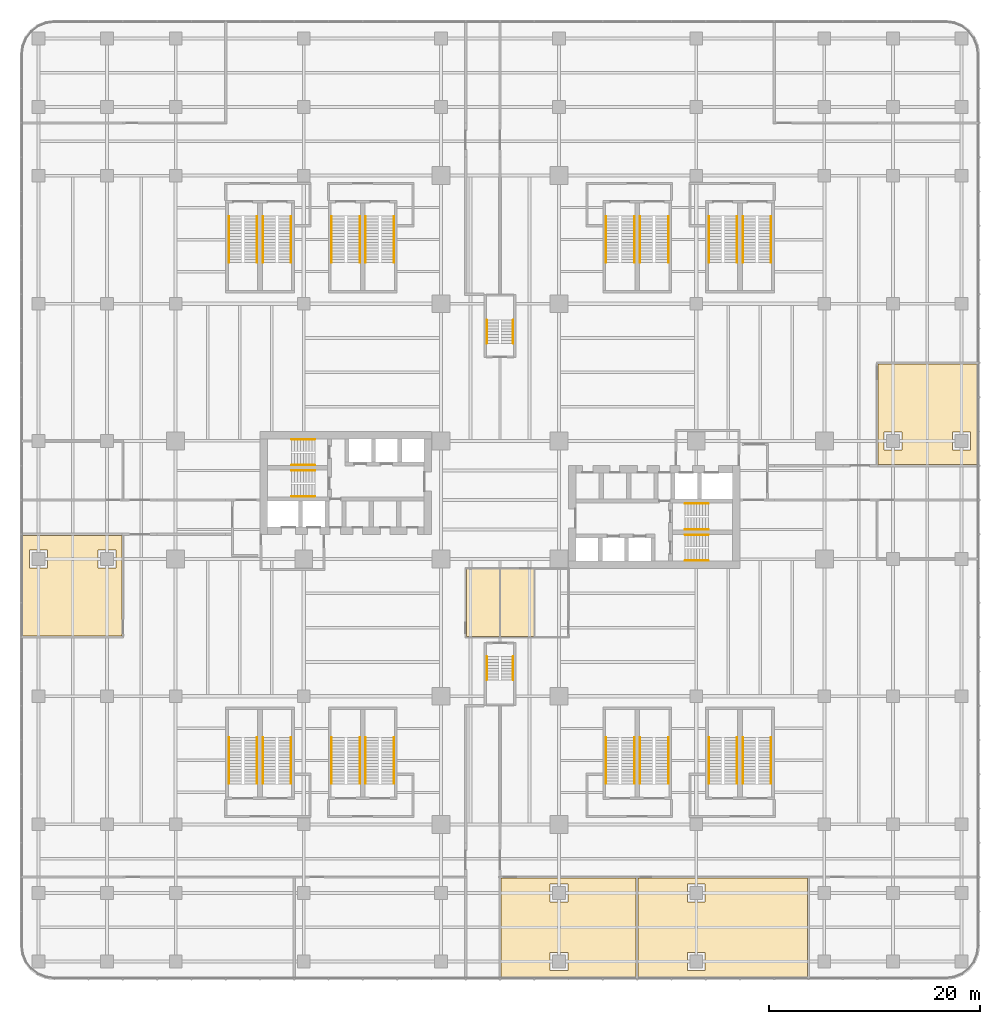
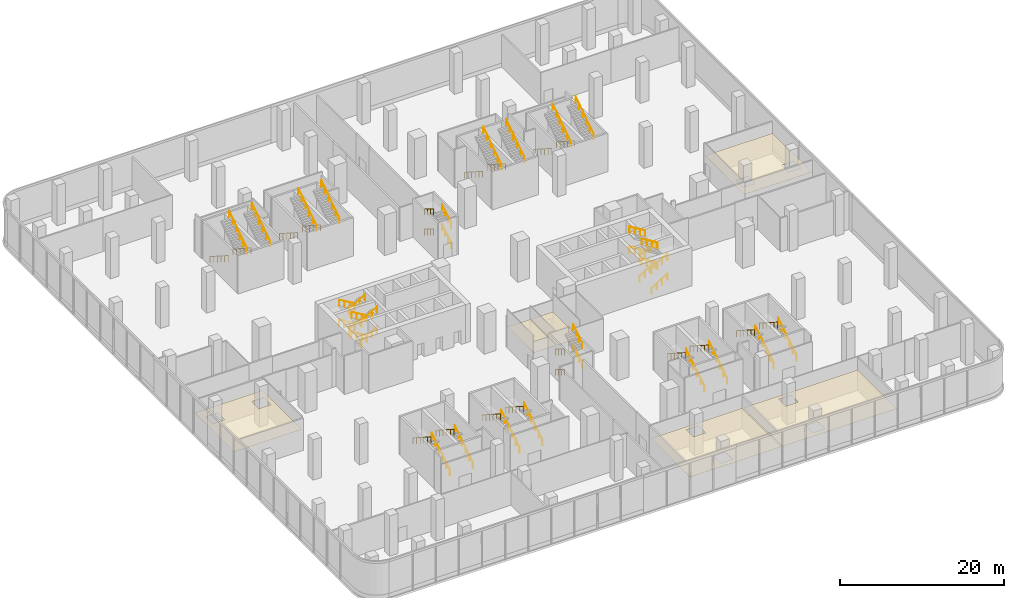
# One storey, part 41 of 41: 56 railings, 6 coverings.
"""IFC4 building model written with IfcOpenShell, lengths in metres."""

from ifc_helpers import new_model, si_unit, direction, frame, origin, origin_2d, place, context, subcontext, project, spatial, polyline, circle, outline, extrude, source, transform, mapped, material, layer, layer_set, type_object, element, save


model = new_model("IFC4")

# Units and contexts
model_context = context("Model", 3, precision=1e-05, world=origin(), true_north=direction((0.0, 1.0)))
body_context = subcontext(model_context, "Body", "Model", "MODEL_VIEW")
ifc_project = project(units=[si_unit("LENGTHUNIT", "METRE"), si_unit("AREAUNIT", "SQUARE_METRE"), si_unit("VOLUMEUNIT", "CUBIC_METRE"), si_unit("PLANEANGLEUNIT", "RADIAN"), si_unit("MASSUNIT", "GRAM", prefix="KILO")], contexts=[model_context])

# Site, building, storey
site_placement = place(None, origin())
site = spatial("IfcSite", under=ifc_project, at=site_placement, CompositionType="ELEMENT")
building_placement = place(site_placement, origin())
building = spatial("IfcBuilding", under=site, at=building_placement, Name="Trellis Farm Tower", CompositionType="ELEMENT")
storey_placement = place(building_placement, frame((0.0, 0.0, 8.0)))
storey = spatial("IfcBuildingStorey", under=building, at=storey_placement, Name="L01", CompositionType="ELEMENT", Elevation=8.0)

# Coverings
ifc_material_1 = material(Name="Moisture resistant plasterboard on metal framing")
ifc_layer = layer(ifc_material_1, 0.02490234375)
ifc_layer_set = layer_set([ifc_layer], Name="PLASTERBOARD CEILING 25")
covering_type = type_object("IfcCoveringType", Name="PLASTERBOARD CEILING 25", PredefinedType="CEILING", material=ifc_layer_set)
placement = place(storey_placement, frame((0.0, 0.0, 3.0)))
element("IfcCovering", 1, at=placement, inside=storey, type_object=covering_type, Name="CL2 suspended ceiling", PredefinedType="CEILING", context=body_context, shape_type="SweptSolid", body=[
    extrude(outline(polyline([(-3.1875, -6.5625), (-0.050048828125, -6.5625), (-0.050048828125, -12.949951171875), (-3.1875, -12.949951171875), (-3.1875, -6.5625)])), origin(), (0.0, 0.0, 1.0), 0.02490234375),
])
element("IfcCovering", 2, at=placement, inside=storey, type_object=covering_type, Name="CL2 suspended ceiling", PredefinedType="CEILING", context=body_context, shape_type="SweptSolid", body=[
    extrude(outline(polyline([(0.0, -45.300048828125), (0.10009765625, -45.300048828125), (0.10009765625, -35.8125), (12.89990234375, -35.8125), (12.89990234375, -45.300048828125), (13.0, -45.300048828125), (13.0, -45.302978515625), (0.0, -45.302978515625), (0.0, -45.300048828125)]), holes=[polyline([(4.75, -42.89990234375), (4.75, -44.60009765625), (6.449951171875, -44.60009765625), (6.449951171875, -42.89990234375), (4.75, -42.89990234375)]), polyline([(4.75, -38.10009765625), (6.449951171875, -38.10009765625), (6.449951171875, -36.39990234375), (4.75, -36.39990234375), (4.75, -38.10009765625)])]), origin(), (0.0, 0.0, 1.0), 0.02490234375),
])
element("IfcCovering", 3, at=placement, inside=storey, type_object=covering_type, Name="CL2 suspended ceiling", PredefinedType="CEILING", context=body_context, shape_type="SweptSolid", body=[
    extrude(outline(polyline([(13.10009765625, -45.300048828125), (13.10009765625, -35.8125), (29.14990234375, -35.8125), (29.14990234375, -45.300048828125), (29.25, -45.300048828125), (29.25, -45.302978515625), (13.0, -45.302978515625), (13.0, -45.300048828125), (13.10009765625, -45.300048828125)]), holes=[polyline([(17.75, -42.89990234375), (17.75, -44.60009765625), (19.449951171875, -44.60009765625), (19.449951171875, -42.89990234375), (17.75, -42.89990234375)]), polyline([(17.75, -36.39990234375), (17.75, -38.10009765625), (19.449951171875, -38.10009765625), (19.449951171875, -36.39990234375), (17.75, -36.39990234375)])]), origin(), (0.0, 0.0, 1.0), 0.02490234375),
])
element("IfcCovering", 4, at=placement, inside=storey, type_object=covering_type, Name="CL2 suspended ceiling", PredefinedType="CEILING", context=body_context, shape_type="SweptSolid", body=[
    extrude(outline(polyline([(45.300048828125, 3.25), (45.300048828125, 3.35009765625), (35.8125, 3.35009765625), (35.8125, 12.89990234375), (45.300048828125, 12.89990234375), (45.300048828125, 13.0), (45.302978515625, 13.0), (45.302978515625, 3.25), (45.300048828125, 3.25)]), holes=[polyline([(36.39990234375, 4.75), (38.10009765625, 4.75), (38.10009765625, 6.449951171875), (36.39990234375, 6.449951171875), (36.39990234375, 4.75)]), polyline([(42.89990234375, 6.449951171875), (42.89990234375, 4.75), (44.60009765625, 4.75), (44.60009765625, 6.449951171875), (42.89990234375, 6.449951171875)])]), origin(), (0.0, 0.0, 1.0), 0.02490234375),
])
element("IfcCovering", 5, at=placement, inside=storey, type_object=covering_type, Name="CL2 suspended ceiling", PredefinedType="CEILING", context=body_context, shape_type="SweptSolid", body=[
    extrude(outline(polyline([(-45.300048828125, -3.25), (-45.300048828125, -3.35009765625), (-35.8125, -3.35009765625), (-35.8125, -12.89990234375), (-45.300048828125, -12.89990234375), (-45.300048828125, -13.0), (-45.302978515625, -13.0), (-45.302978515625, -3.25), (-45.300048828125, -3.25)]), holes=[polyline([(-44.60009765625, -6.449951171875), (-42.89990234375, -6.449951171875), (-42.89990234375, -4.75), (-44.60009765625, -4.75), (-44.60009765625, -6.449951171875)]), polyline([(-38.10009765625, -4.75), (-38.10009765625, -6.449951171875), (-36.39990234375, -6.449951171875), (-36.39990234375, -4.75), (-38.10009765625, -4.75)])]), origin(), (0.0, 0.0, 1.0), 0.02490234375),
])

# Railings
ifc_material_2 = material(Name="Stainless steel", Category="steel")
railing_type = type_object("IfcRailingType", Name="STAIR HANDRAIL 900", PredefinedType="HANDRAIL", material=ifc_material_2)
shared_shape_1 = source(origin(), body_context, "Body", "SweptSolid", [
    extrude(circle(Radius=0.02392578125, at=origin_2d()), frame((0.0, 0.0, 0.8759765625), z_axis=(0.0, 0.85520675485, 0.518286992369), x_axis=(-1.0, 0.0, 0.0)), (0.0, 0.0, 1.0), 2.572509765625),
    extrude(circle(Radius=0.02099609375, at=origin_2d()), origin(), (0.0, 0.0, 1.0), 0.851806640625),
    extrude(circle(Radius=0.02099609375, at=origin_2d()), frame((0.0, 0.7333984375, 0.4443359375)), (0.0, 0.0, 1.0), 0.851806640625),
    extrude(circle(Radius=0.02099609375, at=origin_2d()), frame((0.0, 1.466552734375, 0.888916015625)), (0.0, 0.0, 1.0), 0.851806640625),
    extrude(circle(Radius=0.02099609375, at=origin_2d()), frame((0.0, 2.199951171875, 1.333251953125)), (0.0, 0.0, 1.0), 0.851806640625),
])
for number, where, name in (
    (6, (1.25, 14.85009765625, 0.166748046875), "Stair handrail"),
    (7, (1.25, 14.85009765625, 3.166748046875), "Stair handrail"),
    (8, (1.25, -17.050048828125, 1.666748046875), "Stair handrail"),
    (9, (1.25, -17.050048828125, 4.666748046875), "Stair handrail"),
):
    element("IfcRailing", number, at=place(storey_placement, frame(where)), inside=storey, type_object=railing_type, Name=name, PredefinedType="HANDRAIL", context=body_context, shape_type="MappedRepresentation", body=[
        mapped(shared_shape_1, transform((0.0, 0.0, 0.0))),
    ])
shared_shape_2 = source(origin(), body_context, "Body", "SweptSolid", [
    extrude(circle(Radius=0.02392578125, at=origin_2d()), frame((0.0, 0.0, 0.8759765625), z_axis=(0.0, -0.85520675485, 0.518286992369), x_axis=(1.0, 0.0, 0.0)), (0.0, 0.0, 1.0), 2.572509765625),
    extrude(circle(Radius=0.02099609375, at=origin_2d()), origin(), (0.0, 0.0, 1.0), 0.851806640625),
    extrude(circle(Radius=0.02099609375, at=origin_2d()), frame((0.0, -0.7333984375, 0.4443359375)), (0.0, 0.0, 1.0), 0.851806640625),
    extrude(circle(Radius=0.02099609375, at=origin_2d()), frame((0.0, -1.466552734375, 0.888916015625)), (0.0, 0.0, 1.0), 0.851806640625),
    extrude(circle(Radius=0.02099609375, at=origin_2d()), frame((0.0, -2.199951171875, 1.333251953125)), (0.0, 0.0, 1.0), 0.851806640625),
])
for number, where, name in (
    (10, (-1.25, 17.050048828125, 1.666748046875), "Stair handrail"),
    (11, (-1.25, 17.050048828125, 4.666748046875), "Stair handrail"),
    (12, (-1.25, -14.85009765625, 0.166748046875), "Stair handrail"),
    (13, (-1.25, -14.85009765625, 3.166748046875), "Stair handrail"),
):
    element("IfcRailing", number, at=place(storey_placement, frame(where)), inside=storey, type_object=railing_type, Name=name, PredefinedType="HANDRAIL", context=body_context, shape_type="MappedRepresentation", body=[
        mapped(shared_shape_2, transform((0.0, 0.0, 0.0))),
    ])
shared_shape_3 = source(origin(), body_context, "Body", "SweptSolid", [
    extrude(circle(Radius=0.02392578125, at=origin_2d()), frame((0.0, 0.0, 0.8759765625), z_axis=(0.85520675485, 0.0, 0.518286992369), x_axis=(0.0, 1.0, 0.0)), (0.0, 0.0, 1.0), 2.572509765625),
    extrude(circle(Radius=0.02099609375, at=origin_2d()), origin(), (0.0, 0.0, 1.0), 0.851806640625),
    extrude(circle(Radius=0.02099609375, at=origin_2d()), frame((0.7333984375, 0.0, 0.4443359375)), (0.0, 0.0, 1.0), 0.851806640625),
    extrude(circle(Radius=0.02099609375, at=origin_2d()), frame((1.466552734375, 0.0, 0.888916015625)), (0.0, 0.0, 1.0), 0.851806640625),
    extrude(circle(Radius=0.02099609375, at=origin_2d()), frame((2.199951171875, 0.0, 1.333251953125)), (0.0, 0.0, 1.0), 0.851806640625),
])
for number, where, name in (
    (14, (17.550048828125, -5.75, 0.166748046875), "Stair handrail"),
    (15, (17.550048828125, -5.75, 3.166748046875), "Stair handrail"),
    (16, (17.550048828125, -2.800048828125, 0.166748046875), "Stair handrail"),
    (17, (17.550048828125, -2.800048828125, 3.166748046875), "Stair handrail"),
    (18, (-19.75, 3.300048828125, 1.666748046875), "Stair handrail"),
    (19, (-19.75, 3.300048828125, 4.666748046875), "Stair handrail"),
    (20, (-19.75, 0.35009765625, 1.666748046875), "Stair handrail"),
    (21, (-19.75, 0.35009765625, 4.666748046875), "Stair handrail"),
):
    element("IfcRailing", number, at=place(storey_placement, frame(where)), inside=storey, type_object=railing_type, Name=name, PredefinedType="HANDRAIL", context=body_context, shape_type="MappedRepresentation", body=[
        mapped(shared_shape_3, transform((0.0, 0.0, 0.0))),
    ])
shared_shape_4 = source(origin(), body_context, "Body", "SweptSolid", [
    extrude(circle(Radius=0.02392578125, at=origin_2d()), frame((0.0, 0.0, 0.8759765625), z_axis=(-0.85520675485, 0.0, 0.518286992369), x_axis=(0.0, -1.0, 0.0)), (0.0, 0.0, 1.0), 2.572509765625),
    extrude(circle(Radius=0.02099609375, at=origin_2d()), origin(), (0.0, 0.0, 1.0), 0.851806640625),
    extrude(circle(Radius=0.02099609375, at=origin_2d()), frame((-0.7333984375, 0.0, 0.4443359375)), (0.0, 0.0, 1.0), 0.851806640625),
    extrude(circle(Radius=0.02099609375, at=origin_2d()), frame((-1.466552734375, 0.0, 0.888916015625)), (0.0, 0.0, 1.0), 0.851806640625),
    extrude(circle(Radius=0.02099609375, at=origin_2d()), frame((-2.199951171875, 0.0, 1.333251953125)), (0.0, 0.0, 1.0), 0.851806640625),
])
for number, where, name in (
    (22, (19.75, -3.300048828125, 1.666748046875), "Stair handrail"),
    (23, (19.75, -3.300048828125, 4.666748046875), "Stair handrail"),
    (24, (19.75, -0.35009765625, 1.666748046875), "Stair handrail"),
    (25, (19.75, -0.35009765625, 4.666748046875), "Stair handrail"),
    (26, (-17.550048828125, 5.75, 0.166748046875), "Stair handrail"),
    (27, (-17.550048828125, 5.75, 3.166748046875), "Stair handrail"),
    (28, (-17.550048828125, 2.800048828125, 0.166748046875), "Stair handrail"),
    (29, (-17.550048828125, 2.800048828125, 3.166748046875), "Stair handrail"),
):
    element("IfcRailing", number, at=place(storey_placement, frame(where)), inside=storey, type_object=railing_type, Name=name, PredefinedType="HANDRAIL", context=body_context, shape_type="MappedRepresentation", body=[
        mapped(shared_shape_4, transform((0.0, 0.0, 0.0))),
    ])
shared_shape_5 = source(origin(), body_context, "Body", "SweptSolid", [
    extrude(circle(Radius=0.02392578125, at=origin_2d()), frame((0.0, 0.0, 0.8759765625), z_axis=(0.0, -0.841615184995, 0.54007766144), x_axis=(1.0, 0.0, 0.0)), (0.0, 0.0, 1.0), 5.22802734375),
    extrude(circle(Radius=0.02099609375, at=origin_2d()), origin(), (0.0, 0.0, 1.0), 0.851806640625),
    extrude(circle(Radius=0.02099609375, at=origin_2d()), frame((0.0, -0.8798828125, 0.564697265625)), (0.0, 0.0, 1.0), 0.851806640625),
    extrude(circle(Radius=0.02099609375, at=origin_2d()), frame((0.0, -1.760009765625, 1.12939453125)), (0.0, 0.0, 1.0), 0.851806640625),
    extrude(circle(Radius=0.02099609375, at=origin_2d()), frame((0.0, -2.639892578125, 1.694091796875)), (0.0, 0.0, 1.0), 0.851806640625),
    extrude(circle(Radius=0.02099609375, at=origin_2d()), frame((0.0, -3.52001953125, 2.2587890625)), (0.0, 0.0, 1.0), 0.851806640625),
    extrude(circle(Radius=0.02099609375, at=origin_2d()), frame((0.0, -4.39990234375, 2.823486328125)), (0.0, 0.0, 1.0), 0.851806640625),
])
for number, where, name in (
    (30, (-25.699951171875, 26.89990234375, 0.176513671875), "Stair handrail"),
    (31, (-22.47998046875, 26.89990234375, 0.176513671875), "Stair handrail"),
    (32, (-15.949951171875, 26.89990234375, 0.176513671875), "Stair handrail"),
    (33, (-12.72998046875, 26.89990234375, 0.176513671875), "Stair handrail"),
    (34, (10.050048828125, 26.89990234375, 0.176513671875), "Stair handrail"),
    (35, (13.27001953125, 26.89990234375, 0.176513671875), "Stair handrail"),
    (36, (19.800048828125, 26.89990234375, 0.176513671875), "Stair handrail"),
    (37, (23.02001953125, 26.89990234375, 0.176513671875), "Stair handrail"),
    (38, (-25.699951171875, -22.5, 3.176513671875), "Stair handrail"),
    (39, (-22.47998046875, -22.5, 3.176513671875), "Stair handrail"),
    (40, (-15.949951171875, -22.5, 3.176513671875), "Stair handrail"),
    (41, (-12.72998046875, -22.5, 3.176513671875), "Stair handrail"),
    (42, (10.050048828125, -22.5, 3.176513671875), "Stair handrail"),
    (43, (13.27001953125, -22.5, 3.176513671875), "Stair handrail"),
    (44, (19.800048828125, -22.5, 3.176513671875), "Stair handrail"),
    (45, (23.02001953125, -22.5, 3.176513671875), "Stair handrail"),
):
    element("IfcRailing", number, at=place(storey_placement, frame(where)), inside=storey, type_object=railing_type, Name=name, PredefinedType="HANDRAIL", context=body_context, shape_type="MappedRepresentation", body=[
        mapped(shared_shape_5, transform((0.0, 0.0, 0.0))),
    ])
shared_shape_6 = source(origin(), body_context, "Body", "SweptSolid", [
    extrude(circle(Radius=0.02392578125, at=origin_2d()), frame((0.0, 0.0, 0.8759765625), z_axis=(0.0, 0.841615184995, 0.54007766144), x_axis=(-1.0, 0.0, 0.0)), (0.0, 0.0, 1.0), 5.22802734375),
    extrude(circle(Radius=0.02099609375, at=origin_2d()), origin(), (0.0, 0.0, 1.0), 0.851806640625),
    extrude(circle(Radius=0.02099609375, at=origin_2d()), frame((0.0, 0.8798828125, 0.564697265625)), (0.0, 0.0, 1.0), 0.851806640625),
    extrude(circle(Radius=0.02099609375, at=origin_2d()), frame((0.0, 1.760009765625, 1.12939453125)), (0.0, 0.0, 1.0), 0.851806640625),
    extrude(circle(Radius=0.02099609375, at=origin_2d()), frame((0.0, 2.639892578125, 1.694091796875)), (0.0, 0.0, 1.0), 0.851806640625),
    extrude(circle(Radius=0.02099609375, at=origin_2d()), frame((0.0, 3.52001953125, 2.2587890625)), (0.0, 0.0, 1.0), 0.851806640625),
    extrude(circle(Radius=0.02099609375, at=origin_2d()), frame((0.0, 4.39990234375, 2.823486328125)), (0.0, 0.0, 1.0), 0.851806640625),
])
for number, where, name in (
    (46, (-23.02001953125, 22.5, 3.176513671875), "Stair handrail"),
    (47, (-19.800048828125, 22.5, 3.176513671875), "Stair handrail"),
    (48, (-13.27001953125, 22.5, 3.176513671875), "Stair handrail"),
    (49, (-10.050048828125, 22.5, 3.176513671875), "Stair handrail"),
    (50, (12.72998046875, 22.5, 3.176513671875), "Stair handrail"),
    (51, (15.949951171875, 22.5, 3.176513671875), "Stair handrail"),
    (52, (22.47998046875, 22.5, 3.176513671875), "Stair handrail"),
    (53, (25.699951171875, 22.5, 3.176513671875), "Stair handrail"),
    (54, (-23.02001953125, -26.89990234375, 0.176513671875), "Stair handrail"),
    (55, (-19.800048828125, -26.89990234375, 0.176513671875), "Stair handrail"),
    (56, (-13.27001953125, -26.89990234375, 0.176513671875), "Stair handrail"),
    (57, (-10.050048828125, -26.89990234375, 0.176513671875), "Stair handrail"),
    (58, (12.72998046875, -26.89990234375, 0.176513671875), "Stair handrail"),
    (59, (15.949951171875, -26.89990234375, 0.176513671875), "Stair handrail"),
    (60, (22.47998046875, -26.89990234375, 0.176513671875), "Stair handrail"),
    (61, (25.699951171875, -26.89990234375, 0.176513671875), "Stair handrail"),
):
    element("IfcRailing", number, at=place(storey_placement, frame(where)), inside=storey, type_object=railing_type, Name=name, PredefinedType="HANDRAIL", context=body_context, shape_type="MappedRepresentation", body=[
        mapped(shared_shape_6, transform((0.0, 0.0, 0.0))),
    ])

# Covering
shared_shape_7 = source(origin(), body_context, "Body", "SweptSolid", [
    extrude(outline(polyline([(3.199951171875, -12.949951171875), (0.050048828125, -12.949951171875), (0.050048828125, -6.5625), (3.199951171875, -6.5625), (3.199951171875, -12.949951171875)])), origin(), (0.0, 0.0, 1.0), 0.02490234375),
])
element("IfcCovering", 62, at=placement, inside=storey, type_object=covering_type, Name="CL2 suspended ceiling", PredefinedType="CEILING", context=body_context, shape_type="MappedRepresentation", body=[
    mapped(shared_shape_7, transform((0.0, 0.0, 0.0))),
])

save(model, "model.ifc")
